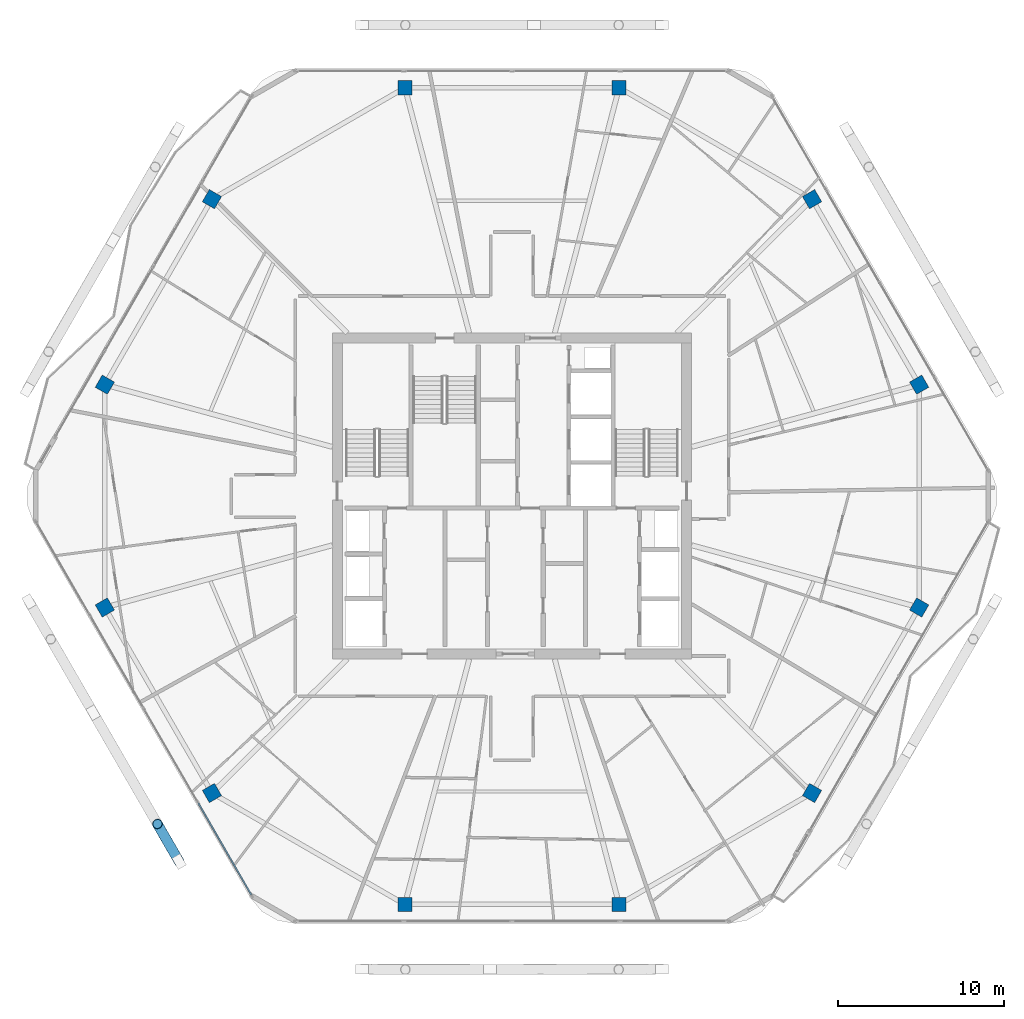
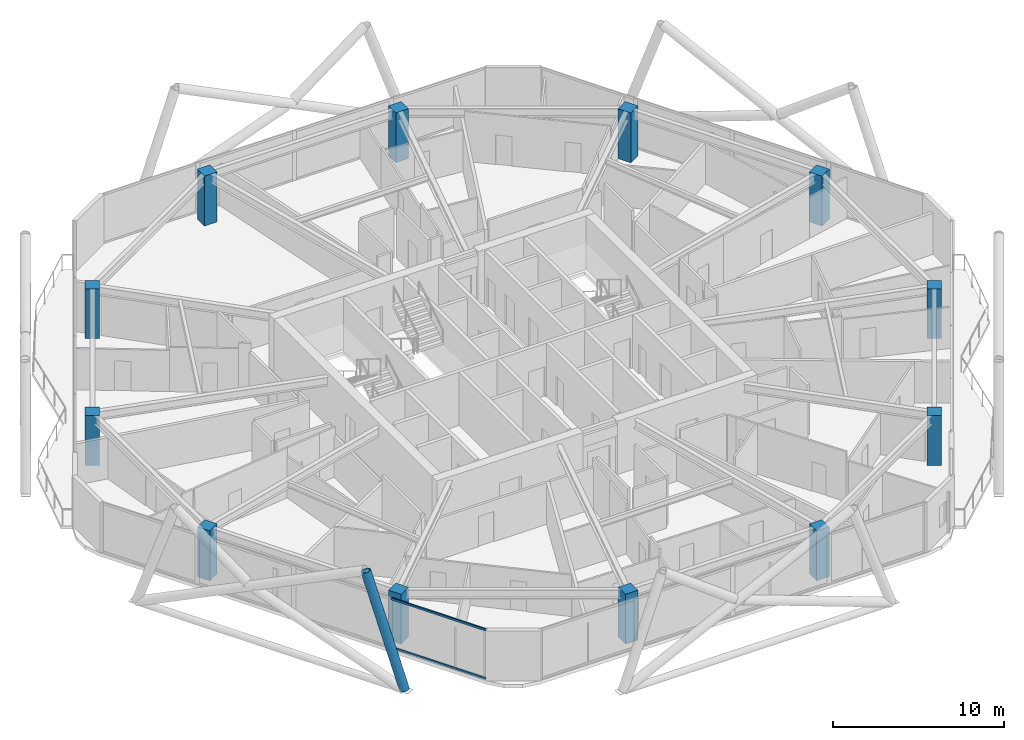
# One storey, part 1 of 29: 12 columns, 3 members, 1 element without a shape of its own.
"""IFC4 building model written with IfcOpenShell, lengths in metres."""

from ifc_helpers import new_model, si_unit, direction, frame, origin, origin_2d, place, context, subcontext, project, spatial, rectangle, hollow_rectangle, hollow_circle, extrude, material, material_profile, profile_set, type_object, element, aggregate, save


model = new_model("IFC4")

# Units and contexts
model_context = context("Model", 3, precision=1e-05, world=origin(), true_north=direction((0.0, 1.0)))
body_context = subcontext(model_context, "Body", "Model", "MODEL_VIEW")
ifc_project = project(units=[si_unit("LENGTHUNIT", "METRE"), si_unit("AREAUNIT", "SQUARE_METRE"), si_unit("VOLUMEUNIT", "CUBIC_METRE"), si_unit("PLANEANGLEUNIT", "RADIAN"), si_unit("MASSUNIT", "GRAM", prefix="KILO")], contexts=[model_context])

# Site, building, storey
site_placement = place(None, origin())
site = spatial("IfcSite", under=ifc_project, at=site_placement, CompositionType="ELEMENT")
building_placement = place(site_placement, origin())
building = spatial("IfcBuilding", under=site, at=building_placement, Name="Zuhravey Tower", CompositionType="ELEMENT")
storey_placement = place(building_placement, frame((0.0, 0.0, 292.0)))
storey = spatial("IfcBuildingStorey", under=building, at=storey_placement, Name="L74", CompositionType="ELEMENT", Elevation=292.0)

# Columns
ifc_material_1 = material(Name="Concrete C50/60", Category="concrete")
ifc_material_profile_1 = material_profile(ifc_material_1, rectangle(XDim=0.85009765625, YDim=0.85009765625, at=origin_2d()), Name="RC-850x850")
ifc_profile_set_1 = profile_set([ifc_material_profile_1], Name="Concrete C50/60")
column_type = type_object("IfcColumnType", Name="Zone 3 Upper Column 850x850", PredefinedType="COLUMN", material=ifc_profile_set_1)
for number, where, z_axis, x_axis, name in (
    (1, (60.484619140625, 38.698974609375, 0.0), (0.0, 0.0, 1.0), (-0.5, 0.866025403784, 0.0), "L74 Perimeter Column PC01"),
    (2, (54.043701171875, 49.854736328125, 0.0), (0.0, 0.0, 1.0), (-0.5, 0.866025403784, 0.0), "L74 Perimeter Column PC02"),
    (3, (42.44091796875, 56.5537109375, 0.0), (0.0, 0.0, 1.0), (-1.0, 0.0, 0.0), "L74 Perimeter Column PC03"),
    (4, (29.55908203125, 56.5537109375, 0.0), (0.0, 0.0, 1.0), (-1.0, 0.0, 0.0), "L74 Perimeter Column PC04"),
    (5, (17.956298828125, 49.854736328125, 0.0), (0.0, 0.0, 1.0), (-0.5, -0.866025403784, 0.0), "L74 Perimeter Column PC05"),
    (6, (11.515380859375, 38.698974609375, 0.0), (0.0, 0.0, 1.0), (-0.5, -0.866025403784, 0.0), "L74 Perimeter Column PC06"),
    (7, (11.515380859375, 25.301025390625, 0.0), (0.0, 0.0, 1.0), (0.5, -0.866025403784, 0.0), "L74 Perimeter Column PC07"),
    (8, (17.956298828125, 14.145263671875, 0.0), (0.0, 0.0, 1.0), (0.5, -0.866025403784, 0.0), "L74 Perimeter Column PC08"),
    (9, (29.55908203125, 7.4462890625, 0.0), (0.0, 0.0, 1.0), (1.0, 0.0, 0.0), "L74 Perimeter Column PC09"),
    (10, (42.44091796875, 7.4462890625, 0.0), (0.0, 0.0, 1.0), (1.0, 0.0, 0.0), "L74 Perimeter Column PC10"),
    (11, (54.043701171875, 14.145263671875, 0.0), (0.0, 0.0, 1.0), (0.5, 0.866025403784, 0.0), "L74 Perimeter Column PC11"),
    (12, (60.484619140625, 25.301025390625, 0.0), (0.0, 0.0, 1.0), (0.5, 0.866025403784, 0.0), "L74 Perimeter Column PC12"),
):
    element("IfcColumn", number, at=place(storey_placement, frame(where, z_axis=z_axis, x_axis=x_axis)), inside=storey, type_object=column_type, Name=name, PredefinedType="COLUMN", context=body_context, shape_type="SweptSolid", body=[
        extrude(rectangle(XDim=0.85009765625, YDim=0.85009765625, at=origin_2d()), origin(), (0.0, 0.0, 1.0), 3.550048828125),
    ])

# Curtain wall, members
ifc_material_2 = material(Name="Thermally broken anodised aluminium", Category="aluminium")
curtain_wall_type = type_object("IfcCurtainWallType", Name="Zone 3-4 High-Rise Curtain Wall CW4", PredefinedType="NOTDEFINED", material=ifc_material_2)
curtain_wall_placement = place(storey_placement, origin())
curtain_wall = element("IfcCurtainWall", 13, at=curtain_wall_placement, inside=storey, type_object=curtain_wall_type, Name="L74 CW4 CW-L74-F4-1", PredefinedType="NOTDEFINED")
ifc_material_3 = material(Name="Anodised aluminium", Category="aluminium")
ifc_material_profile_2 = material_profile(ifc_material_3, hollow_rectangle(XDim=0.090087890625, YDim=0.14990234375, WallThickness=0.0048828125, at=origin_2d()), Name="ALU-RHS-90x150x5")
ifc_profile_set_2 = profile_set([ifc_material_profile_2], Name="Anodised aluminium")
member_type_1 = type_object("IfcMemberType", Name="Curtain-Wall Transom 90x150", PredefinedType="USERDEFINED", material=ifc_profile_set_2)
member_1_placement = place(storey_placement, frame((20.322509765625, 8.02685546875, 0.044921875), z_axis=(-0.499980071345, 0.866036909293, 0.0), x_axis=(-0.866036909293, -0.499980071345, 0.0)))
member_1 = element("IfcMember", 14, at=member_1_placement, type_object=member_type_1, Name="CW4 transom 1.1", ObjectType="TRANSOM", PredefinedType="USERDEFINED", context=body_context, shape_type="SweptSolid", body=[
    extrude(hollow_rectangle(XDim=0.090087890625, YDim=0.14990234375, WallThickness=0.0048828125, at=origin_2d()), origin(), (0.0, 0.0, 1.0), 6.371337890625),
])
member_2_placement = place(storey_placement, frame((20.322509765625, 8.02685546875, 3.5048828125), z_axis=(-0.499980071345, 0.866036909293, 0.0), x_axis=(-0.866036909293, -0.499980071345, 0.0)))
member_2 = element("IfcMember", 15, at=member_2_placement, type_object=member_type_1, Name="CW4 transom 1.2", ObjectType="TRANSOM", PredefinedType="USERDEFINED", context=body_context, shape_type="SweptSolid", body=[
    extrude(hollow_rectangle(XDim=0.090087890625, YDim=0.14990234375, WallThickness=0.0048828125, at=origin_2d()), origin(), (0.0, 0.0, 1.0), 6.371337890625),
])
aggregate(curtain_wall, [member_1, member_2])

# Member
ifc_material_4 = material(Name="Steel SM355", Category="steel")
ifc_material_profile_3 = material_profile(ifc_material_4, hollow_circle(Radius=0.3046875, WallThickness=0.028076171875, at=origin_2d()), Name="CHS-609.6x28")
ifc_profile_set_3 = profile_set([ifc_material_profile_3], Name="Steel SM355")
member_type_2 = type_object("IfcMemberType", Name="Exoskeleton Zone 3 Diagrid CHS610x28", PredefinedType="BRACE", material=ifc_profile_set_3)
member_3_placement = place(storey_placement, frame((15.982421875, 10.024169921875, -0.446044921875), z_axis=(-0.163029217662, 0.282394798701, 0.945343668649), x_axis=(-0.866040668696, -0.499973559465, 0.0)))
element("IfcMember", 16, at=member_3_placement, inside=storey, type_object=member_type_2, Name="L74 Face 4 Diagrid Brace 4", PredefinedType="BRACE", context=body_context, shape_type="SweptSolid", body=[
    extrude(hollow_circle(Radius=0.3046875, WallThickness=0.028076171875, at=origin_2d()), origin(), (0.0, 0.0, 1.0), 8.001220703125),
])

save(model, "model.ifc")
